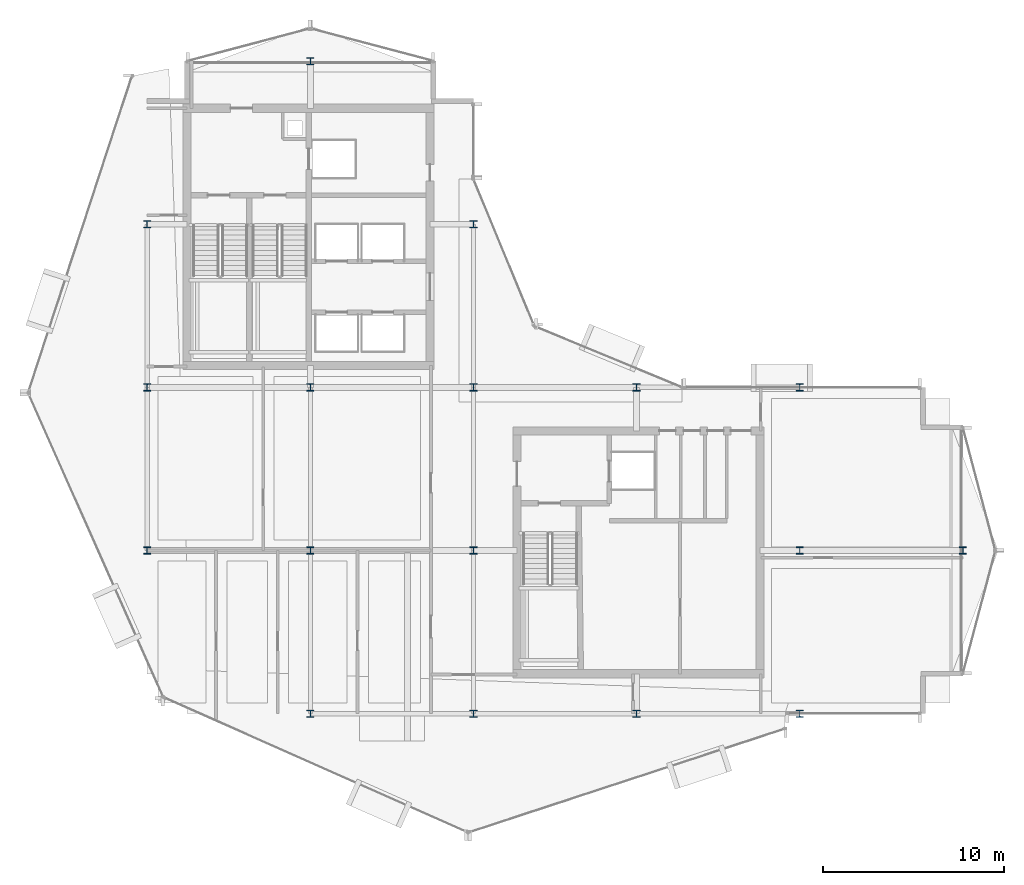
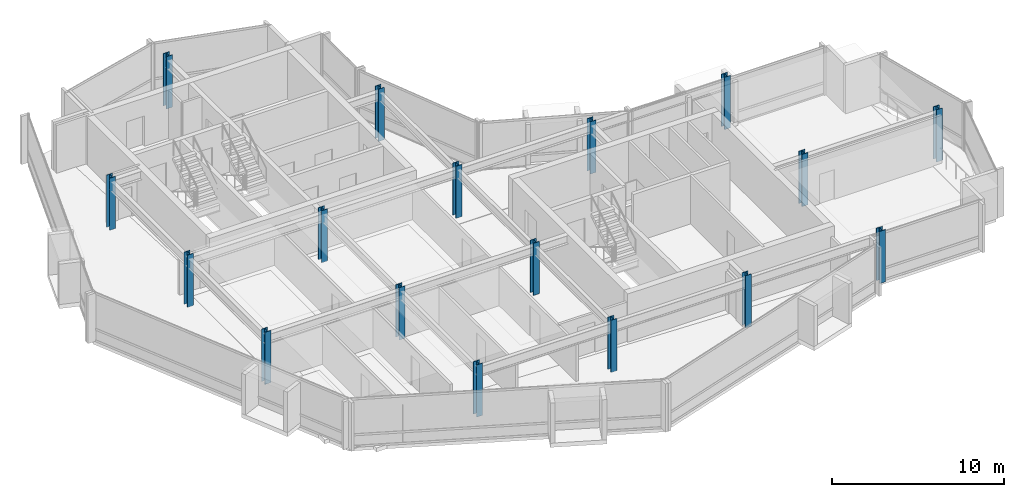
# One storey, part 1 of 27: 17 columns.
"""IFC4 building model written with IfcOpenShell, lengths in metres."""

from ifc_helpers import new_model, si_unit, direction, frame, origin, origin_2d, place, context, subcontext, project, spatial, i_section, extrude, material, material_profile, profile_set, type_object, element, save


model = new_model("IFC4")

# Units and contexts
model_context = context("Model", 3, precision=1e-05, world=origin(), true_north=direction((0.0, 1.0)))
body_context = subcontext(model_context, "Body", "Model", "MODEL_VIEW")
ifc_project = project(units=[si_unit("LENGTHUNIT", "METRE"), si_unit("AREAUNIT", "SQUARE_METRE"), si_unit("VOLUMEUNIT", "CUBIC_METRE"), si_unit("PLANEANGLEUNIT", "RADIAN"), si_unit("MASSUNIT", "GRAM", prefix="KILO")], contexts=[model_context])

# Site, building, storey
site_placement = place(None, origin())
site = spatial("IfcSite", under=ifc_project, at=site_placement, CompositionType="ELEMENT")
building_placement = place(site_placement, origin())
building = spatial("IfcBuilding", under=site, at=building_placement, Name="Solvaryn Broadcast Tower", CompositionType="ELEMENT")
storey_placement = place(building_placement, frame((0.0, 0.0, 228.39990234375)))
storey = spatial("IfcBuildingStorey", under=building, at=storey_placement, Name="L57", CompositionType="ELEMENT", Elevation=228.39990234375)

# Columns
ifc_material_1 = material(Name="Steel ASTM A913 Grade 65", Category="steel")
ifc_material_profile_1 = material_profile(ifc_material_1, i_section(OverallWidth=0.40087890625, OverallDepth=0.39892578125, WebThickness=0.02490234375, FlangeThickness=0.03955078125, FilletRadius=0.014892578125, at=origin_2d()))
ifc_profile_set_1 = profile_set([ifc_material_profile_1], Name="Steel ASTM A913 Grade 65")
column_type_1 = type_object("IfcColumnType", Name="COL-C08E-W14X211", PredefinedType="COLUMN", material=ifc_profile_set_1)
for number, where, z_axis, x_axis, name in (
    (1, (9.0, 18.0, 0.0), (0.0, 0.0, 1.0), (1.0, 0.0, 0.0), "L57 Column (9.0, 18.0)"),
    (2, (9.0, 27.0, 0.0), (0.0, 0.0, 1.0), (1.0, 0.0, 0.0), "L57 Column (9.0, 27.0)"),
    (3, (9.0, 36.0, 0.0), (0.0, 0.0, 1.0), (1.0, 0.0, 0.0), "L57 Column (9.0, 36.0)"),
    (4, (18.0, 9.0, 0.0), (0.0, 0.0, 1.0), (1.0, 0.0, 0.0), "L57 Column (18.0, 9.0)"),
    (5, (18.0, 45.0, 0.0), (0.0, 0.0, 1.0), (1.0, 0.0, 0.0), "L57 Column (18.0, 45.0)"),
    (6, (27.0, 9.0, 0.0), (0.0, 0.0, 1.0), (1.0, 0.0, 0.0), "L57 Column (27.0, 9.0)"),
    (7, (27.0, 36.0, 0.0), (0.0, 0.0, 1.0), (1.0, 0.0, 0.0), "L57 Column (27.0, 36.0)"),
    (8, (36.0, 9.0, 0.0), (0.0, 0.0, 1.0), (1.0, 0.0, 0.0), "L57 Column (36.0, 9.0)"),
    (9, (36.0, 27.0, 0.0), (0.0, 0.0, 1.0), (1.0, 0.0, 0.0), "L57 Column (36.0, 27.0)"),
    (10, (45.0, 9.0, 0.0), (0.0, 0.0, 1.0), (1.0, 0.0, 0.0), "L57 Column (45.0, 9.0)"),
    (11, (45.0, 27.0, 0.0), (0.0, 0.0, 1.0), (1.0, 0.0, 0.0), "L57 Column (45.0, 27.0)"),
    (12, (54.0, 18.0, 0.0), (0.0, 0.0, 1.0), (1.0, 0.0, 0.0), "L57 Column (54.0, 18.0)"),
):
    element("IfcColumn", number, at=place(storey_placement, frame(where, z_axis=z_axis, x_axis=x_axis)), inside=storey, type_object=column_type_1, Name=name, PredefinedType="COLUMN", context=body_context, shape_type="SweptSolid", body=[
        extrude(i_section(OverallWidth=0.40087890625, OverallDepth=0.39892578125, WebThickness=0.02490234375, FlangeThickness=0.03955078125, FilletRadius=0.014892578125, at=origin_2d()), origin(), (0.0, 0.0, 1.0), 3.7001953125),
    ])
ifc_material_2 = material(Name="Steel ASTM A913 Grade 65", Category="steel")
ifc_material_profile_2 = material_profile(ifc_material_2, i_section(OverallWidth=0.40087890625, OverallDepth=0.39892578125, WebThickness=0.02490234375, FlangeThickness=0.03955078125, FilletRadius=0.014892578125, at=origin_2d()))
ifc_profile_set_2 = profile_set([ifc_material_profile_2], Name="Steel ASTM A913 Grade 65")
column_type_2 = type_object("IfcColumnType", Name="COL-C08I-W14X211", PredefinedType="COLUMN", material=ifc_profile_set_2)
for number, where, z_axis, x_axis, name in (
    (13, (18.0, 18.0, 0.0), (0.0, 0.0, 1.0), (1.0, 0.0, 0.0), "L57 Column (18.0, 18.0)"),
    (14, (18.0, 27.0, 0.0), (0.0, 0.0, 1.0), (1.0, 0.0, 0.0), "L57 Column (18.0, 27.0)"),
    (15, (27.0, 18.0, 0.0), (0.0, 0.0, 1.0), (1.0, 0.0, 0.0), "L57 Column (27.0, 18.0)"),
    (16, (27.0, 27.0, 0.0), (0.0, 0.0, 1.0), (1.0, 0.0, 0.0), "L57 Column (27.0, 27.0)"),
    (17, (45.0, 18.0, 0.0), (0.0, 0.0, 1.0), (1.0, 0.0, 0.0), "L57 Column (45.0, 18.0)"),
):
    element("IfcColumn", number, at=place(storey_placement, frame(where, z_axis=z_axis, x_axis=x_axis)), inside=storey, type_object=column_type_2, Name=name, PredefinedType="COLUMN", context=body_context, shape_type="SweptSolid", body=[
        extrude(i_section(OverallWidth=0.40087890625, OverallDepth=0.39892578125, WebThickness=0.02490234375, FlangeThickness=0.03955078125, FilletRadius=0.014892578125, at=origin_2d()), origin(), (0.0, 0.0, 1.0), 3.7001953125),
    ])

save(model, "model.ifc")
